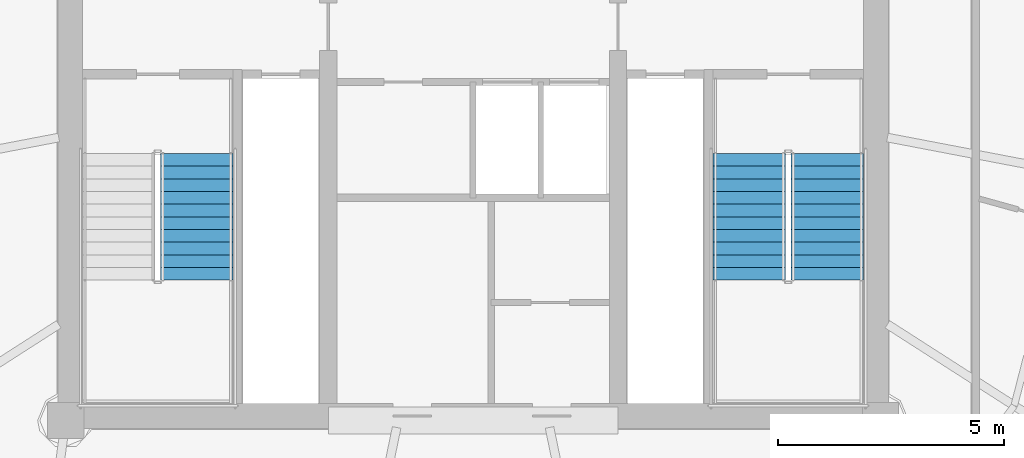
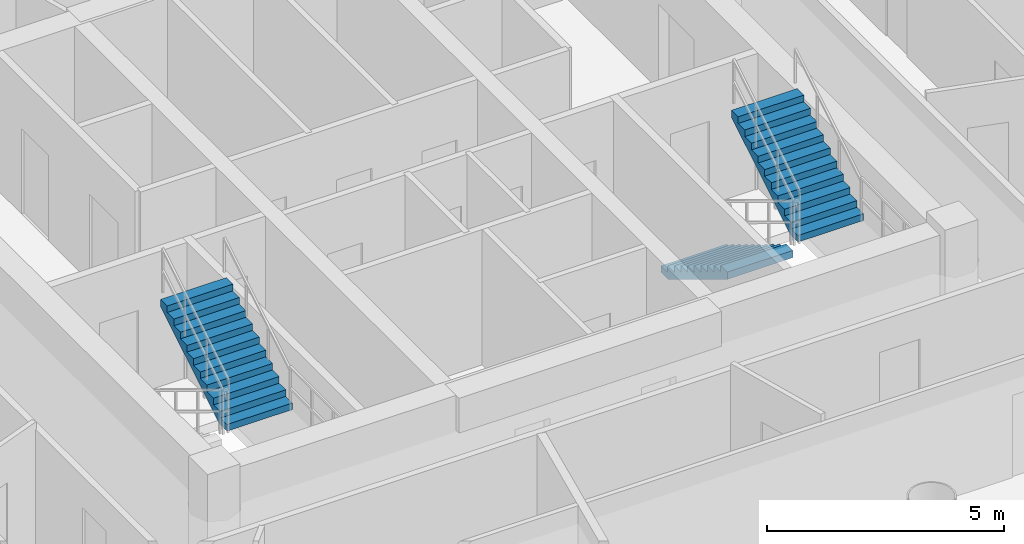
# One storey, part 17 of 21: 3 stair flights, 2 elements without a shape of their own.
"""IFC4 building model written with IfcOpenShell, lengths in metres."""

from ifc_helpers import new_model, si_unit, direction, frame, origin, place, context, subcontext, project, spatial, polyline, outline, extrude, material, type_object, element, aggregate, save


model = new_model("IFC4")

# Units and contexts
model_context = context("Model", 3, precision=1e-05, world=origin(), true_north=direction((-0.2419218956, 0.970295726276)))
body_context = subcontext(model_context, "Body", "Model", "MODEL_VIEW")
ifc_project = project(units=[si_unit("LENGTHUNIT", "METRE"), si_unit("AREAUNIT", "SQUARE_METRE"), si_unit("VOLUMEUNIT", "CUBIC_METRE"), si_unit("PLANEANGLEUNIT", "RADIAN"), si_unit("MASSUNIT", "GRAM", prefix="KILO")], contexts=[model_context])

# Site, building, storey
site_placement = place(None, origin())
site = spatial("IfcSite", under=ifc_project, at=site_placement, CompositionType="ELEMENT")
building_placement = place(site_placement, origin())
building = spatial("IfcBuilding", under=site, at=building_placement, Name="Cobrevalo Terracotta Tower", CompositionType="ELEMENT")
storey_placement = place(building_placement, frame((0.0, 0.0, 281.949951171875)))
storey = spatial("IfcBuildingStorey", under=building, at=storey_placement, Name="L74", CompositionType="ELEMENT", Elevation=281.949951171875)

# Stair, stair flight
ifc_material = material(Name="Concrete C50", Category="concrete")
stair_type = type_object("IfcStairType", Name="Core protected escape dogleg stair 1600", PredefinedType="HALF_TURN_STAIR", material=ifc_material)
stair_1_placement = place(storey_placement, origin())
stair_1 = element("IfcStair", 1, at=stair_1_placement, inside=storey, type_object=stair_type, Name="L74 Protected exit stair ST-1", PredefinedType="HALF_TURN_STAIR")
stair_flight_type = type_object("IfcStairFlightType", Name="Core protected escape dogleg stair 1600 flight", PredefinedType="STRAIGHT", material=ifc_material)
stair_flight_1_placement = place(storey_placement, frame((31.89501953125, 21.89990234375, 1.875), z_axis=(0.0, 0.0, 1.0), x_axis=(0.0, 1.0, 0.0)))
stair_flight_1 = element("IfcStairFlight", 2, at=stair_flight_1_placement, type_object=stair_flight_type, Name="ST-1 flight 2", NumberOfRisers=11, NumberOfTreads=10, PredefinedType="STRAIGHT", RiserHeight=0.170454545, TreadLength=0.28, context=body_context, shape_type="SweptSolid", body=[
    extrude(outline(polyline([(0.0, 0.0), (0.0, 0.17041015625), (0.280029296875, 0.17041015625), (0.280029296875, 0.3408203125), (0.56005859375, 0.3408203125), (0.56005859375, 0.511474609375), (0.840087890625, 0.511474609375), (0.840087890625, 0.681884765625), (1.1201171875, 0.681884765625), (1.1201171875, 0.852294921875), (1.39990234375, 0.852294921875), (1.39990234375, 1.022705078125), (1.679931640625, 1.022705078125), (1.679931640625, 1.193115234375), (1.9599609375, 1.193115234375), (1.9599609375, 1.363525390625), (2.239990234375, 1.363525390625), (2.239990234375, 1.5341796875), (2.52001953125, 1.5341796875), (2.52001953125, 1.70458984375), (2.800048828125, 1.70458984375), (2.800048828125, 1.875), (2.800048828125, 1.517333984375), (0.3076171875, 0.0), (0.0, 0.0)])), frame((0.0, 0.800048828125, 0.0), z_axis=(0.0, -1.0, 0.0), x_axis=(1.0, 0.0, 0.0)), (0.0, 0.0, 1.0), 1.60009765625),
])
aggregate(stair_1, [stair_flight_1])

# Stair, stair flights
stair_2_placement = place(storey_placement, origin())
stair_2 = element("IfcStair", 3, at=stair_2_placement, inside=storey, type_object=stair_type, Name="L74 Protected exit stair ST-2", PredefinedType="HALF_TURN_STAIR")
stair_flight_2_placement = place(storey_placement, frame((44.10498046875, 24.699951171875, 0.0), z_axis=(0.0, 0.0, 1.0), x_axis=(0.0, -1.0, 0.0)))
stair_flight_2 = element("IfcStairFlight", 4, at=stair_flight_2_placement, type_object=stair_flight_type, Name="ST-2 flight 1", NumberOfRisers=11, NumberOfTreads=10, PredefinedType="STRAIGHT", RiserHeight=0.170454545, TreadLength=0.28, context=body_context, shape_type="SweptSolid", body=[
    extrude(outline(polyline([(0.0, 0.0), (0.0, 0.17041015625), (0.280029296875, 0.17041015625), (0.280029296875, 0.3408203125), (0.56005859375, 0.3408203125), (0.56005859375, 0.511474609375), (0.840087890625, 0.511474609375), (0.840087890625, 0.681884765625), (1.1201171875, 0.681884765625), (1.1201171875, 0.852294921875), (1.39990234375, 0.852294921875), (1.39990234375, 1.022705078125), (1.679931640625, 1.022705078125), (1.679931640625, 1.193115234375), (1.9599609375, 1.193115234375), (1.9599609375, 1.363525390625), (2.239990234375, 1.363525390625), (2.239990234375, 1.5341796875), (2.52001953125, 1.5341796875), (2.52001953125, 1.70458984375), (2.800048828125, 1.70458984375), (2.800048828125, 1.875), (2.800048828125, 1.517333984375), (0.3076171875, 0.0), (0.0, 0.0)])), frame((0.0, 0.800048828125, 0.0), z_axis=(0.0, -1.0, 0.0), x_axis=(1.0, 0.0, 0.0)), (0.0, 0.0, 1.0), 1.60009765625),
])
stair_flight_3_placement = place(storey_placement, frame((45.824951171875, 21.89990234375, 1.875), z_axis=(0.0, 0.0, 1.0), x_axis=(0.0, 1.0, 0.0)))
stair_flight_3 = element("IfcStairFlight", 5, at=stair_flight_3_placement, type_object=stair_flight_type, Name="ST-2 flight 2", NumberOfRisers=11, NumberOfTreads=10, PredefinedType="STRAIGHT", RiserHeight=0.170454545, TreadLength=0.28, context=body_context, shape_type="SweptSolid", body=[
    extrude(outline(polyline([(0.0, 0.0), (0.0, 0.17041015625), (0.280029296875, 0.17041015625), (0.280029296875, 0.3408203125), (0.56005859375, 0.3408203125), (0.56005859375, 0.511474609375), (0.840087890625, 0.511474609375), (0.840087890625, 0.681884765625), (1.1201171875, 0.681884765625), (1.1201171875, 0.852294921875), (1.39990234375, 0.852294921875), (1.39990234375, 1.022705078125), (1.679931640625, 1.022705078125), (1.679931640625, 1.193115234375), (1.9599609375, 1.193115234375), (1.9599609375, 1.363525390625), (2.239990234375, 1.363525390625), (2.239990234375, 1.5341796875), (2.52001953125, 1.5341796875), (2.52001953125, 1.70458984375), (2.800048828125, 1.70458984375), (2.800048828125, 1.875), (2.800048828125, 1.517333984375), (0.3076171875, 0.0), (0.0, 0.0)])), frame((0.0, 0.800048828125, 0.0), z_axis=(0.0, -1.0, 0.0), x_axis=(1.0, 0.0, 0.0)), (0.0, 0.0, 1.0), 1.60009765625),
])
aggregate(stair_2, [stair_flight_2, stair_flight_3])

save(model, "model.ifc")
